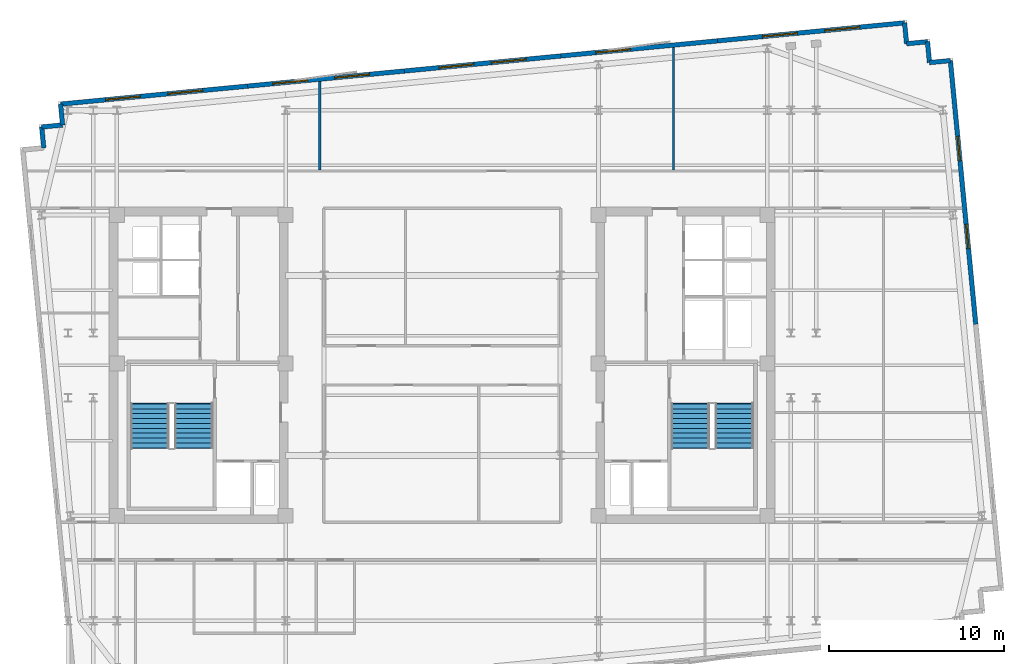
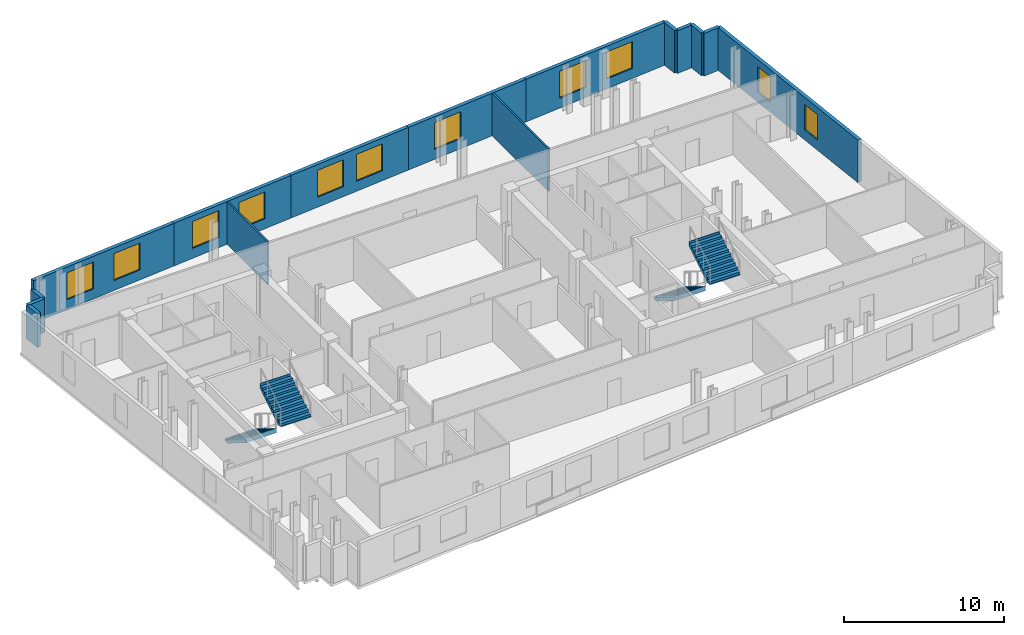
# One storey, part 6 of 8: 15 walls, 11 windows, 4 stair flights, 11 openings, 2 elements without a shape of their own.
"""IFC4 building model written with IfcOpenShell, lengths in metres."""

from ifc_helpers import new_model, si_unit, direction, frame, frame_2d, origin, place, context, subcontext, project, spatial, polyline, rectangle, outline, extrude, material, layer, layer_set, type_object, element, fill, aggregate, save


model = new_model("IFC4")

# Units and contexts
model_context = context("Model", 3, precision=1e-05, world=origin(), true_north=direction((0.0, 1.0)))
body_context = subcontext(model_context, "Body", "Model", "MODEL_VIEW")
ifc_project = project(units=[si_unit("LENGTHUNIT", "METRE"), si_unit("AREAUNIT", "SQUARE_METRE"), si_unit("VOLUMEUNIT", "CUBIC_METRE"), si_unit("PLANEANGLEUNIT", "RADIAN"), si_unit("MASSUNIT", "GRAM", prefix="KILO")], contexts=[model_context])

# Site, building, storey
site_placement = place(None, origin())
site = spatial("IfcSite", under=ifc_project, at=site_placement, CompositionType="ELEMENT")
building_placement = place(site_placement, origin())
building = spatial("IfcBuilding", under=site, at=building_placement, Name="Velakula Bourse", CompositionType="ELEMENT")
storey_placement = place(building_placement, frame((0.0, 0.0, 255.14990234375)))
storey = spatial("IfcBuildingStorey", under=building, at=storey_placement, Name="L69", CompositionType="ELEMENT", Elevation=255.14990234375)

# Wall, openings, windows
ifc_material_1 = material(Name="Buff kilned clay facing brick masonry", Category="masonry")
ifc_layer_1 = layer(ifc_material_1, 0.260009765625, Name="Buff kilned clay facing brick masonry", Category="masonry")
ifc_layer_set_1 = layer_set([ifc_layer_1], Name="Buff kilned clay facing brick masonry")
wall_type_1 = type_object("IfcWallType", Name="WL-EXT-BRK-260", PredefinedType="STANDARD", material=ifc_layer_set_1)
wall_1_placement = place(storey_placement, frame((-21.820556640625, 14.94482421875, 0.0), z_axis=(0.0, 0.0, 1.0), x_axis=(0.995394787719, 0.095860401528, 0.0)))
wall_1 = element("IfcWall", 1, at=wall_1_placement, inside=storey, type_object=wall_type_1, Name="L69 N Brick Spandrel Wall B1", PredefinedType="STANDARD", context=body_context, shape_type="SweptSolid", body=[
    extrude(rectangle(XDim=10.750244140625, YDim=0.260009765625, at=frame_2d((5.375, 0.0))), origin(), (0.0, 0.0, 1.0), 3.25),
])
opening_1_placement = place(wall_1_placement, frame((2.583251953125, 0.0, 0.760009765625)))
opening_1 = element("IfcOpeningElement", 2, at=opening_1_placement, cuts=wall_1, Name="Opening W-05", PredefinedType="OPENING", context=body_context, shape_type="SweptSolid", body=[
    extrude(rectangle(XDim=2.0, YDim=2.050048828125, at=frame_2d((1.0, 1.02490234375))), frame((0.0, 0.139892578125, 0.0), z_axis=(0.0, -1.0, 0.0), x_axis=(1.0, 0.0, 0.0)), (0.0, 0.0, 1.0), 0.280029296875),
])
opening_2_placement = place(wall_1_placement, frame((6.166748046875, 0.0, 0.760009765625)))
opening_2 = element("IfcOpeningElement", 3, at=opening_2_placement, cuts=wall_1, Name="Opening W-05", PredefinedType="OPENING", context=body_context, shape_type="SweptSolid", body=[
    extrude(rectangle(XDim=2.0, YDim=2.050048828125, at=frame_2d((1.0, 1.02490234375))), frame((0.0, 0.139892578125, 0.0), z_axis=(0.0, -1.0, 0.0), x_axis=(1.0, 0.0, 0.0)), (0.0, 0.0, 1.0), 0.280029296875),
])
ifc_material_2 = material(Name="Double-glazed solar-control Low-E glass", Category="glass")
window_type_1 = type_object("IfcWindowType", Name="WIN-TWR-2000x2200", PartitioningType="DOUBLE_PANEL_VERTICAL", PredefinedType="WINDOW", material=ifc_material_2)
window_1_placement = place(opening_1_placement, origin())
window_1 = element("IfcWindow", 4, at=window_1_placement, inside=storey, type_object=window_type_1, Name="L69 Deep-Set Recessed Window 1", OverallHeight=2.050048828125, OverallWidth=2.0, PartitioningType="DOUBLE_PANEL_VERTICAL", PredefinedType="WINDOW", context=body_context, shape_type="SweptSolid", body=[
    extrude(rectangle(XDim=2.0, YDim=2.050048828125, at=frame_2d((1.0, 1.02490234375))), frame((0.0, 0.030029296875, 0.0), z_axis=(0.0, -1.0, 0.0), x_axis=(1.0, 0.0, 0.0)), (0.0, 0.0, 1.0), 0.06005859375),
])
fill(opening_1, window_1)
window_2_placement = place(opening_2_placement, origin())
window_2 = element("IfcWindow", 5, at=window_2_placement, inside=storey, type_object=window_type_1, Name="L69 Deep-Set Recessed Window 2", OverallHeight=2.050048828125, OverallWidth=2.0, PartitioningType="DOUBLE_PANEL_VERTICAL", PredefinedType="WINDOW", context=body_context, shape_type="SweptSolid", body=[
    extrude(rectangle(XDim=2.0, YDim=2.050048828125, at=frame_2d((1.0, 1.02490234375))), frame((0.0, 0.030029296875, 0.0), z_axis=(0.0, -1.0, 0.0), x_axis=(1.0, 0.0, 0.0)), (0.0, 0.0, 1.0), 0.06005859375),
])
fill(opening_2, window_2)

wall_2_placement = place(storey_placement, frame((-11.119873046875, 15.975341796875, 0.0), z_axis=(0.0, 0.0, 1.0), x_axis=(0.995396794462, 0.09583956164, 0.0)))
wall_2 = element("IfcWall", 6, at=wall_2_placement, inside=storey, type_object=wall_type_1, Name="L69 N Brick Spandrel Wall B2", PredefinedType="STANDARD", context=body_context, shape_type="SweptSolid", body=[
    extrude(rectangle(XDim=9.0, YDim=0.260009765625, at=frame_2d((4.5, 0.0))), origin(), (0.0, 0.0, 1.0), 3.25),
])
opening_3_placement = place(wall_2_placement, frame((1.449951171875, 0.0, 0.760009765625)))
opening_3 = element("IfcOpeningElement", 7, at=opening_3_placement, cuts=wall_2, Name="Opening W-05", PredefinedType="OPENING", context=body_context, shape_type="SweptSolid", body=[
    extrude(rectangle(XDim=2.0, YDim=2.050048828125, at=frame_2d((1.0, 1.02490234375))), frame((0.0, 0.139892578125, 0.0), z_axis=(0.0, -1.0, 0.0), x_axis=(1.0, 0.0, 0.0)), (0.0, 0.0, 1.0), 0.280029296875),
])
opening_4_placement = place(wall_2_placement, frame((5.0, 0.0, 0.760009765625)))
opening_4 = element("IfcOpeningElement", 8, at=opening_4_placement, cuts=wall_2, Name="Opening W-05", PredefinedType="OPENING", context=body_context, shape_type="SweptSolid", body=[
    extrude(rectangle(XDim=2.0, YDim=2.050048828125, at=frame_2d((1.0, 1.02490234375))), frame((0.0, 0.139892578125, 0.0), z_axis=(0.0, -1.0, 0.0), x_axis=(1.0, 0.0, 0.0)), (0.0, 0.0, 1.0), 0.280029296875),
])
window_3_placement = place(opening_3_placement, origin())
window_3 = element("IfcWindow", 9, at=window_3_placement, inside=storey, type_object=window_type_1, Name="L69 Deep-Set Recessed Window 1", OverallHeight=2.050048828125, OverallWidth=2.0, PartitioningType="DOUBLE_PANEL_VERTICAL", PredefinedType="WINDOW", context=body_context, shape_type="SweptSolid", body=[
    extrude(rectangle(XDim=2.0, YDim=2.050048828125, at=frame_2d((1.0, 1.02490234375))), frame((0.0, 0.030029296875, 0.0), z_axis=(0.0, -1.0, 0.0), x_axis=(1.0, 0.0, 0.0)), (0.0, 0.0, 1.0), 0.06005859375),
])
fill(opening_3, window_3)
window_4_placement = place(opening_4_placement, origin())
window_4 = element("IfcWindow", 10, at=window_4_placement, inside=storey, type_object=window_type_1, Name="L69 Deep-Set Recessed Window 2", OverallHeight=2.050048828125, OverallWidth=2.0, PartitioningType="DOUBLE_PANEL_VERTICAL", PredefinedType="WINDOW", context=body_context, shape_type="SweptSolid", body=[
    extrude(rectangle(XDim=2.0, YDim=2.050048828125, at=frame_2d((1.0, 1.02490234375))), frame((0.0, 0.030029296875, 0.0), z_axis=(0.0, -1.0, 0.0), x_axis=(1.0, 0.0, 0.0)), (0.0, 0.0, 1.0), 0.06005859375),
])
fill(opening_4, window_4)

wall_3_placement = place(storey_placement, frame((-2.161376953125, 16.837890625, 0.0), z_axis=(0.0, 0.0, 1.0), x_axis=(0.995396794462, 0.09583956164, 0.0)))
wall_3 = element("IfcWall", 11, at=wall_3_placement, inside=storey, type_object=wall_type_1, Name="L69 N Brick Spandrel Wall B3", PredefinedType="STANDARD", context=body_context, shape_type="SweptSolid", body=[
    extrude(rectangle(XDim=9.0, YDim=0.260009765625, at=frame_2d((4.5, 0.0))), origin(), (0.0, 0.0, 1.0), 3.25),
])
opening_5_placement = place(wall_3_placement, frame((2.0, 0.0, 0.760009765625)))
opening_5 = element("IfcOpeningElement", 12, at=opening_5_placement, cuts=wall_3, Name="Opening W-05", PredefinedType="OPENING", context=body_context, shape_type="SweptSolid", body=[
    extrude(rectangle(XDim=2.0, YDim=2.050048828125, at=frame_2d((1.0, 1.02490234375))), frame((0.0, 0.139892578125, 0.0), z_axis=(0.0, -1.0, 0.0), x_axis=(1.0, 0.0, 0.0)), (0.0, 0.0, 1.0), 0.280029296875),
])
opening_6_placement = place(wall_3_placement, frame((5.0, 0.0, 0.760009765625)))
opening_6 = element("IfcOpeningElement", 13, at=opening_6_placement, cuts=wall_3, Name="Opening W-05", PredefinedType="OPENING", context=body_context, shape_type="SweptSolid", body=[
    extrude(rectangle(XDim=2.0, YDim=2.050048828125, at=frame_2d((1.0, 1.02490234375))), frame((0.0, 0.139892578125, 0.0), z_axis=(0.0, -1.0, 0.0), x_axis=(1.0, 0.0, 0.0)), (0.0, 0.0, 1.0), 0.280029296875),
])
window_5_placement = place(opening_5_placement, origin())
window_5 = element("IfcWindow", 14, at=window_5_placement, inside=storey, type_object=window_type_1, Name="L69 Deep-Set Recessed Window 1", OverallHeight=2.050048828125, OverallWidth=2.0, PartitioningType="DOUBLE_PANEL_VERTICAL", PredefinedType="WINDOW", context=body_context, shape_type="SweptSolid", body=[
    extrude(rectangle(XDim=2.0, YDim=2.050048828125, at=frame_2d((1.0, 1.02490234375))), frame((0.0, 0.030029296875, 0.0), z_axis=(0.0, -1.0, 0.0), x_axis=(1.0, 0.0, 0.0)), (0.0, 0.0, 1.0), 0.06005859375),
])
fill(opening_5, window_5)
window_6_placement = place(opening_6_placement, origin())
window_6 = element("IfcWindow", 15, at=window_6_placement, inside=storey, type_object=window_type_1, Name="L69 Deep-Set Recessed Window 2", OverallHeight=2.050048828125, OverallWidth=2.0, PartitioningType="DOUBLE_PANEL_VERTICAL", PredefinedType="WINDOW", context=body_context, shape_type="SweptSolid", body=[
    extrude(rectangle(XDim=2.0, YDim=2.050048828125, at=frame_2d((1.0, 1.02490234375))), frame((0.0, 0.030029296875, 0.0), z_axis=(0.0, -1.0, 0.0), x_axis=(1.0, 0.0, 0.0)), (0.0, 0.0, 1.0), 0.06005859375),
])
fill(opening_6, window_6)

# Wall, opening, window
wall_4_placement = place(storey_placement, frame((6.797119140625, 17.700439453125, 0.0), z_axis=(0.0, 0.0, 1.0), x_axis=(0.995394455533, 0.09586385082, 0.0)))
wall_4 = element("IfcWall", 16, at=wall_4_placement, inside=storey, type_object=wall_type_1, Name="L69 N Brick Spandrel Wall B4", PredefinedType="STANDARD", context=body_context, shape_type="SweptSolid", body=[
    extrude(rectangle(XDim=9.000244140625, YDim=0.260009765625, at=frame_2d((4.5, 0.0))), origin(), (0.0, 0.0, 1.0), 3.25),
])
opening_7_placement = place(wall_4_placement, frame((2.0, 0.0, 0.760009765625)))
opening_7 = element("IfcOpeningElement", 17, at=opening_7_placement, cuts=wall_4, Name="Opening W-05", PredefinedType="OPENING", context=body_context, shape_type="SweptSolid", body=[
    extrude(rectangle(XDim=2.0, YDim=2.050048828125, at=frame_2d((1.0, 1.02490234375))), frame((0.0, 0.139892578125, 0.0), z_axis=(0.0, -1.0, 0.0), x_axis=(1.0, 0.0, 0.0)), (0.0, 0.0, 1.0), 0.280029296875),
])
window_7_placement = place(opening_7_placement, origin())
window_7 = element("IfcWindow", 18, at=window_7_placement, inside=storey, type_object=window_type_1, Name="L69 Deep-Set Recessed Window 1", OverallHeight=2.050048828125, OverallWidth=2.0, PartitioningType="DOUBLE_PANEL_VERTICAL", PredefinedType="WINDOW", context=body_context, shape_type="SweptSolid", body=[
    extrude(rectangle(XDim=2.0, YDim=2.050048828125, at=frame_2d((1.0, 1.02490234375))), frame((0.0, 0.030029296875, 0.0), z_axis=(0.0, -1.0, 0.0), x_axis=(1.0, 0.0, 0.0)), (0.0, 0.0, 1.0), 0.06005859375),
])
fill(opening_7, window_7)

# Wall, openings, windows
wall_5_placement = place(storey_placement, frame((15.755859375, 18.563232421875, 0.0), z_axis=(0.0, 0.0, 1.0), x_axis=(0.995396745868, 0.095840066339, 0.0)))
wall_5 = element("IfcWall", 19, at=wall_5_placement, inside=storey, type_object=wall_type_1, Name="L69 N Brick Spandrel Wall B5", PredefinedType="STANDARD", context=body_context, shape_type="SweptSolid", body=[
    extrude(rectangle(XDim=10.75, YDim=0.260009765625, at=frame_2d((5.375, 0.0))), origin(), (0.0, 0.0, 1.0), 3.25),
])
opening_8_placement = place(wall_5_placement, frame((2.583251953125, 0.0, 0.760009765625)))
opening_8 = element("IfcOpeningElement", 20, at=opening_8_placement, cuts=wall_5, Name="Opening W-05", PredefinedType="OPENING", context=body_context, shape_type="SweptSolid", body=[
    extrude(rectangle(XDim=2.0, YDim=2.050048828125, at=frame_2d((1.0, 1.02490234375))), frame((0.0, 0.139892578125, 0.0), z_axis=(0.0, -1.0, 0.0), x_axis=(1.0, 0.0, 0.0)), (0.0, 0.0, 1.0), 0.280029296875),
])
opening_9_placement = place(wall_5_placement, frame((6.166748046875, 0.0, 0.760009765625)))
opening_9 = element("IfcOpeningElement", 21, at=opening_9_placement, cuts=wall_5, Name="Opening W-05", PredefinedType="OPENING", context=body_context, shape_type="SweptSolid", body=[
    extrude(rectangle(XDim=2.0, YDim=2.050048828125, at=frame_2d((1.0, 1.02490234375))), frame((0.0, 0.139892578125, 0.0), z_axis=(0.0, -1.0, 0.0), x_axis=(1.0, 0.0, 0.0)), (0.0, 0.0, 1.0), 0.280029296875),
])
window_8_placement = place(opening_8_placement, origin())
window_8 = element("IfcWindow", 22, at=window_8_placement, inside=storey, type_object=window_type_1, Name="L69 Deep-Set Recessed Window 1", OverallHeight=2.050048828125, OverallWidth=2.0, PartitioningType="DOUBLE_PANEL_VERTICAL", PredefinedType="WINDOW", context=body_context, shape_type="SweptSolid", body=[
    extrude(rectangle(XDim=2.0, YDim=2.050048828125, at=frame_2d((1.0, 1.02490234375))), frame((0.0, 0.030029296875, 0.0), z_axis=(0.0, -1.0, 0.0), x_axis=(1.0, 0.0, 0.0)), (0.0, 0.0, 1.0), 0.06005859375),
])
fill(opening_8, window_8)
window_9_placement = place(opening_9_placement, origin())
window_9 = element("IfcWindow", 23, at=window_9_placement, inside=storey, type_object=window_type_1, Name="L69 Deep-Set Recessed Window 2", OverallHeight=2.050048828125, OverallWidth=2.0, PartitioningType="DOUBLE_PANEL_VERTICAL", PredefinedType="WINDOW", context=body_context, shape_type="SweptSolid", body=[
    extrude(rectangle(XDim=2.0, YDim=2.050048828125, at=frame_2d((1.0, 1.02490234375))), frame((0.0, 0.030029296875, 0.0), z_axis=(0.0, -1.0, 0.0), x_axis=(1.0, 0.0, 0.0)), (0.0, 0.0, 1.0), 0.06005859375),
])
fill(opening_9, window_9)

wall_6_placement = place(storey_placement, frame((29.0751953125, 17.4345703125, 0.0), z_axis=(0.0, 0.0, 1.0), x_axis=(0.095850890337, -0.995395703638, 0.0)))
wall_6 = element("IfcWall", 24, at=wall_6_placement, inside=storey, type_object=wall_type_1, Name="L69 E Brick End Wall W2", PredefinedType="STANDARD", context=body_context, shape_type="SweptSolid", body=[
    extrude(rectangle(XDim=15.150146484375, YDim=0.260009765625, at=frame_2d((7.5751953125, 0.0))), origin(), (0.0, 0.0, 1.0), 3.25),
])
opening_10_placement = place(wall_6_placement, frame((4.35009765625, 0.0, 0.760009765625)))
opening_10 = element("IfcOpeningElement", 25, at=opening_10_placement, cuts=wall_6, Name="Opening W-03", PredefinedType="OPENING", context=body_context, shape_type="SweptSolid", body=[
    extrude(rectangle(XDim=1.39990234375, YDim=1.949951171875, at=frame_2d((0.699951171875, 0.97509765625))), frame((0.0, 0.139892578125, 0.0), z_axis=(0.0, -1.0, 0.0), x_axis=(1.0, 0.0, 0.0)), (0.0, 0.0, 1.0), 0.280029296875),
])
opening_11_placement = place(wall_6_placement, frame((9.39990234375, 0.0, 0.760009765625)))
opening_11 = element("IfcOpeningElement", 26, at=opening_11_placement, cuts=wall_6, Name="Opening W-03", PredefinedType="OPENING", context=body_context, shape_type="SweptSolid", body=[
    extrude(rectangle(XDim=1.39990234375, YDim=1.949951171875, at=frame_2d((0.699951171875, 0.97509765625))), frame((0.0, 0.139892578125, 0.0), z_axis=(0.0, -1.0, 0.0), x_axis=(1.0, 0.0, 0.0)), (0.0, 0.0, 1.0), 0.280029296875),
])
window_type_2 = type_object("IfcWindowType", Name="WIN-TWR-1400x2100", PartitioningType="SINGLE_PANEL", PredefinedType="WINDOW", material=ifc_material_2)
window_10_placement = place(opening_10_placement, origin())
window_10 = element("IfcWindow", 27, at=window_10_placement, inside=storey, type_object=window_type_2, Name="L69 Deep-Set Recessed Window 1", OverallHeight=1.949951171875, OverallWidth=1.39990234375, PartitioningType="SINGLE_PANEL", PredefinedType="WINDOW", context=body_context, shape_type="SweptSolid", body=[
    extrude(rectangle(XDim=1.39990234375, YDim=1.949951171875, at=frame_2d((0.699951171875, 0.97509765625))), frame((0.0, 0.030029296875, 0.0), z_axis=(0.0, -1.0, 0.0), x_axis=(1.0, 0.0, 0.0)), (0.0, 0.0, 1.0), 0.06005859375),
])
fill(opening_10, window_10)
window_11_placement = place(opening_11_placement, origin())
window_11 = element("IfcWindow", 28, at=window_11_placement, inside=storey, type_object=window_type_2, Name="L69 Deep-Set Recessed Window 2", OverallHeight=1.949951171875, OverallWidth=1.39990234375, PartitioningType="SINGLE_PANEL", PredefinedType="WINDOW", context=body_context, shape_type="SweptSolid", body=[
    extrude(rectangle(XDim=1.39990234375, YDim=1.949951171875, at=frame_2d((0.699951171875, 0.97509765625))), frame((0.0, 0.030029296875, 0.0), z_axis=(0.0, -1.0, 0.0), x_axis=(1.0, 0.0, 0.0)), (0.0, 0.0, 1.0), 0.06005859375),
])
fill(opening_11, window_11)

# Walls
for number, where, z_axis, x_axis, name in (
    (29, (29.0751953125, 17.4345703125, 0.0), (0.0, 0.0, 1.0), (-0.995397091755, -0.095836473879, 0.0), "L69 Serrated Corner Brick Wall NE-1"),
    (30, (27.880859375, 17.319580078125, 0.0), (0.0, 0.0, 1.0), (-0.095836473879, 0.995397091755, 0.0), "L69 Serrated Corner Brick Wall NE-2"),
):
    element("IfcWall", number, at=place(storey_placement, frame(where, z_axis=z_axis, x_axis=x_axis)), inside=storey, type_object=wall_type_1, Name=name, PredefinedType="STANDARD", context=body_context, shape_type="SweptSolid", body=[
        extrude(rectangle(XDim=1.199951171875, YDim=0.260009765625, at=frame_2d((0.60009765625, 0.0))), origin(), (0.0, 0.0, 1.0), 3.25),
    ])
for number, where, z_axis, x_axis, name in (
    (31, (27.765869140625, 18.513916015625, 0.0), (0.0, 0.0, 1.0), (-0.995398960025, -0.095817067274, 0.0), "L69 Serrated Corner Brick Wall NE-3"),
    (32, (26.5712890625, 18.39892578125, 0.0), (0.0, 0.0, 1.0), (-0.095817067274, 0.995398960025, 0.0), "L69 Serrated Corner Brick Wall NE-4"),
):
    element("IfcWall", number, at=place(storey_placement, frame(where, z_axis=z_axis, x_axis=x_axis)), inside=storey, type_object=wall_type_1, Name=name, PredefinedType="STANDARD", context=body_context, shape_type="SweptSolid", body=[
        extrude(rectangle(XDim=1.2001953125, YDim=0.260009765625, at=frame_2d((0.60009765625, 0.0))), origin(), (0.0, 0.0, 1.0), 3.25),
    ])
wall_7_placement = place(storey_placement, frame((-21.820556640625, 14.94482421875, 0.0), z_axis=(0.0, 0.0, 1.0), x_axis=(0.096038073607, -0.995377661201, 0.0)))
element("IfcWall", 33, at=wall_7_placement, inside=storey, type_object=wall_type_1, Name="L69 Serrated Corner Brick Wall NW-1", PredefinedType="STANDARD", context=body_context, shape_type="SweptSolid", body=[
    extrude(rectangle(XDim=1.199951171875, YDim=0.260009765625, at=frame_2d((0.60009765625, 0.0))), origin(), (0.0, 0.0, 1.0), 2.565185546875),
])
for number, where, z_axis, x_axis, name in (
    (34, (-21.705322265625, 13.75048828125, 0.0), (0.0, 0.0, 1.0), (-0.995398960025, -0.095817067274, 0.0), "L69 Serrated Corner Brick Wall NW-2"),
    (35, (-22.89990234375, 13.635498046875, 0.0), (0.0, 0.0, 1.0), (0.095817067274, -0.995398960025, 0.0), "L69 Serrated Corner Brick Wall NW-3"),
):
    element("IfcWall", number, at=place(storey_placement, frame(where, z_axis=z_axis, x_axis=x_axis)), inside=storey, type_object=wall_type_1, Name=name, PredefinedType="STANDARD", context=body_context, shape_type="SweptSolid", body=[
        extrude(rectangle(XDim=1.2001953125, YDim=0.260009765625, at=frame_2d((0.60009765625, 0.0))), origin(), (0.0, 0.0, 1.0), 2.565185546875),
    ])
ifc_material_3 = material(Name="Fire-rated double-layer gypsum drywall partition", Category="gypsum")
ifc_layer_2 = layer(ifc_material_3, 0.1201171875, Name="Fire-rated double-layer gypsum drywall partition", Category="gypsum")
ifc_layer_set_2 = layer_set([ifc_layer_2], Name="Fire-rated double-layer gypsum drywall partition")
wall_type_2 = type_object("IfcWallType", Name="WL-PART-120", PredefinedType="STANDARD", material=ifc_layer_set_2)
wall_8_placement = place(storey_placement, frame((-6.99609375, 11.18994140625, 0.0), z_axis=(0.0, 0.0, 1.0), x_axis=(0.0, 1.0, 0.0)))
element("IfcWall", 36, at=wall_8_placement, inside=storey, type_object=wall_type_2, Name="L69 Interior Partition WL-INT-L69-N-D1", PredefinedType="STANDARD", context=body_context, shape_type="SweptSolid", body=[
    extrude(rectangle(XDim=5.0517578125, YDim=0.1201171875, at=frame_2d((2.52587890625, 0.0))), origin(), (0.0, 0.0, 1.0), 3.25),
])
wall_9_placement = place(storey_placement, frame((13.241943359375, 11.18994140625, 0.0), z_axis=(0.0, 0.0, 1.0), x_axis=(0.0, 1.0, 0.0)))
element("IfcWall", 37, at=wall_9_placement, inside=storey, type_object=wall_type_2, Name="L69 Interior Partition WL-INT-L69-N-D2", PredefinedType="STANDARD", context=body_context, shape_type="SweptSolid", body=[
    extrude(rectangle(XDim=7.00048828125, YDim=0.1201171875, at=frame_2d((3.500244140625, 0.0))), origin(), (0.0, 0.0, 1.0), 3.25),
])

# Stair, stair flights
ifc_material_4 = material(Name="Concrete M45 (fck 45 MPa)", Category="concrete")
stair_type = type_object("IfcStairType", Name="STR-DOG-390", PredefinedType="HALF_TURN_STAIR", material=ifc_material_4)
stair_1_placement = place(storey_placement, origin())
stair_1 = element("IfcStair", 38, at=stair_1_placement, inside=storey, type_object=stair_type, Name="L69 West Core Exit Stair ST-W1", PredefinedType="HALF_TURN_STAIR")
ifc_layer_3 = layer(ifc_material_4, 0.195068359375, Name="Concrete M45 (fck 45 MPa)", Category="concrete")
ifc_layer_set_3 = layer_set([ifc_layer_3], Name="Concrete M45 (fck 45 MPa)")
stair_flight_type = type_object("IfcStairFlightType", Name="FLT-DOG-390", PredefinedType="STRAIGHT", material=ifc_layer_set_3)
stair_flight_1_placement = place(storey_placement, frame((-16.720947265625, -2.199951171875, 0.0), z_axis=(0.0, 0.0, 1.0), x_axis=(0.0, -1.0, 0.0)))
stair_flight_1 = element("IfcStairFlight", 39, at=stair_flight_1_placement, type_object=stair_flight_type, Name="ST-W1 flight 1", NumberOfRisers=10, NumberOfTreads=9, PredefinedType="STRAIGHT", RiserHeight=0.1725, TreadLength=0.28, context=body_context, shape_type="SweptSolid", body=[
    extrude(outline(polyline([(-0.044921875, -0.0400390625), (-0.044921875, -0.036865234375), (-0.044921875, -0.033935546875), (-0.044921875, -0.03076171875), (-0.044921875, -0.027587890625), (-0.044921875, -0.024658203125), (-0.044921875, -0.021484375), (-0.044921875, -0.0185546875), (-0.044921875, -0.015380859375), (-0.044921875, -0.01220703125), (-0.044921875, -0.00927734375), (-0.044921875, -0.006103515625), (-0.044921875, -0.003173828125), (-0.044921875, 0.0), (0.0, 0.0), (0.0, 0.172607421875), (0.280029296875, 0.172607421875), (0.280029296875, 0.344970703125), (0.56005859375, 0.344970703125), (0.56005859375, 0.517578125), (0.840087890625, 0.517578125), (0.840087890625, 0.68994140625), (1.1201171875, 0.68994140625), (1.1201171875, 0.862548828125), (1.39990234375, 0.862548828125), (1.39990234375, 1.034912109375), (1.679931640625, 1.034912109375), (1.679931640625, 1.20751953125), (1.9599609375, 1.20751953125), (1.9599609375, 1.3798828125), (2.239990234375, 1.3798828125), (2.239990234375, 1.552490234375), (2.52001953125, 1.552490234375), (2.52001953125, 1.72509765625), (2.56494140625, 1.72509765625), (2.56494140625, 1.7001953125), (2.56494140625, 1.67529296875), (2.56494140625, 1.650390625), (2.56494140625, 1.62548828125), (2.56494140625, 1.6005859375), (2.56494140625, 1.57568359375), (2.56494140625, 1.55078125), (2.56494140625, 1.52587890625), (2.56494140625, 1.5009765625), (2.56494140625, 1.47607421875), (2.56494140625, 1.451171875), (2.56494140625, 1.42626953125), (2.56494140625, 1.4013671875), (2.56494140625, 1.37646484375), (0.285888671875, -0.0400390625), (-0.044921875, -0.0400390625)])), frame((0.0, 1.09912109375, 0.0), z_axis=(0.0, -1.0, 0.0), x_axis=(1.0, 0.0, 0.0)), (0.0, 0.0, 1.0), 2.197998046875),
])
stair_flight_2_placement = place(storey_placement, frame((-14.198974609375, -4.719970703125, 1.72509765625), z_axis=(0.0, 0.0, 1.0), x_axis=(0.0, 1.0, 0.0)))
stair_flight_2 = element("IfcStairFlight", 40, at=stair_flight_2_placement, type_object=stair_flight_type, Name="ST-W1 flight 2", NumberOfRisers=10, NumberOfTreads=9, PredefinedType="STRAIGHT", RiserHeight=0.1725, TreadLength=0.28, context=body_context, shape_type="SweptSolid", body=[
    extrude(outline(polyline([(-0.044921875, -0.0400390625), (-0.044921875, -0.036865234375), (-0.044921875, -0.033935546875), (-0.044921875, -0.03076171875), (-0.044921875, -0.027587890625), (-0.044921875, -0.024658203125), (-0.044921875, -0.021484375), (-0.044921875, -0.0185546875), (-0.044921875, -0.015380859375), (-0.044921875, -0.01220703125), (-0.044921875, -0.00927734375), (-0.044921875, -0.006103515625), (-0.044921875, -0.003173828125), (-0.044921875, 0.0), (0.0, 0.0), (0.0, 0.172607421875), (0.280029296875, 0.172607421875), (0.280029296875, 0.344970703125), (0.56005859375, 0.344970703125), (0.56005859375, 0.517578125), (0.840087890625, 0.517578125), (0.840087890625, 0.68994140625), (1.1201171875, 0.68994140625), (1.1201171875, 0.862548828125), (1.39990234375, 0.862548828125), (1.39990234375, 1.034912109375), (1.679931640625, 1.034912109375), (1.679931640625, 1.20751953125), (1.9599609375, 1.20751953125), (1.9599609375, 1.3798828125), (2.239990234375, 1.3798828125), (2.239990234375, 1.552490234375), (2.52001953125, 1.552490234375), (2.52001953125, 1.72509765625), (2.56494140625, 1.72509765625), (2.56494140625, 1.7001953125), (2.56494140625, 1.67529296875), (2.56494140625, 1.650390625), (2.56494140625, 1.62548828125), (2.56494140625, 1.6005859375), (2.56494140625, 1.57568359375), (2.56494140625, 1.55078125), (2.56494140625, 1.52587890625), (2.56494140625, 1.5009765625), (2.56494140625, 1.47607421875), (2.56494140625, 1.451171875), (2.56494140625, 1.42626953125), (2.56494140625, 1.4013671875), (2.56494140625, 1.37646484375), (0.285888671875, -0.0400390625), (-0.044921875, -0.0400390625)])), frame((0.0, 1.09912109375, 0.0), z_axis=(0.0, -1.0, 0.0), x_axis=(1.0, 0.0, 0.0)), (0.0, 0.0, 1.0), 2.197998046875),
])
aggregate(stair_1, [stair_flight_1, stair_flight_2])

stair_2_placement = place(storey_placement, origin())
stair_2 = element("IfcStair", 41, at=stair_2_placement, inside=storey, type_object=stair_type, Name="L69 East Core Exit Stair ST-E1", PredefinedType="HALF_TURN_STAIR")
stair_flight_3_placement = place(storey_placement, frame((14.198974609375, -2.199951171875, 0.0), z_axis=(0.0, 0.0, 1.0), x_axis=(0.0, -1.0, 0.0)))
stair_flight_3 = element("IfcStairFlight", 42, at=stair_flight_3_placement, type_object=stair_flight_type, Name="ST-E1 flight 1", NumberOfRisers=10, NumberOfTreads=9, PredefinedType="STRAIGHT", RiserHeight=0.1725, TreadLength=0.28, context=body_context, shape_type="SweptSolid", body=[
    extrude(outline(polyline([(-0.044921875, -0.0400390625), (-0.044921875, -0.036865234375), (-0.044921875, -0.033935546875), (-0.044921875, -0.03076171875), (-0.044921875, -0.027587890625), (-0.044921875, -0.024658203125), (-0.044921875, -0.021484375), (-0.044921875, -0.0185546875), (-0.044921875, -0.015380859375), (-0.044921875, -0.01220703125), (-0.044921875, -0.00927734375), (-0.044921875, -0.006103515625), (-0.044921875, -0.003173828125), (-0.044921875, 0.0), (0.0, 0.0), (0.0, 0.172607421875), (0.280029296875, 0.172607421875), (0.280029296875, 0.344970703125), (0.56005859375, 0.344970703125), (0.56005859375, 0.517578125), (0.840087890625, 0.517578125), (0.840087890625, 0.68994140625), (1.1201171875, 0.68994140625), (1.1201171875, 0.862548828125), (1.39990234375, 0.862548828125), (1.39990234375, 1.034912109375), (1.679931640625, 1.034912109375), (1.679931640625, 1.20751953125), (1.9599609375, 1.20751953125), (1.9599609375, 1.3798828125), (2.239990234375, 1.3798828125), (2.239990234375, 1.552490234375), (2.52001953125, 1.552490234375), (2.52001953125, 1.72509765625), (2.56494140625, 1.72509765625), (2.56494140625, 1.7001953125), (2.56494140625, 1.67529296875), (2.56494140625, 1.650390625), (2.56494140625, 1.62548828125), (2.56494140625, 1.6005859375), (2.56494140625, 1.57568359375), (2.56494140625, 1.55078125), (2.56494140625, 1.52587890625), (2.56494140625, 1.5009765625), (2.56494140625, 1.47607421875), (2.56494140625, 1.451171875), (2.56494140625, 1.42626953125), (2.56494140625, 1.4013671875), (2.56494140625, 1.37646484375), (0.285888671875, -0.0400390625), (-0.044921875, -0.0400390625)])), frame((0.0, 1.09912109375, 0.0), z_axis=(0.0, -1.0, 0.0), x_axis=(1.0, 0.0, 0.0)), (0.0, 0.0, 1.0), 2.197998046875),
])
stair_flight_4_placement = place(storey_placement, frame((16.720947265625, -4.719970703125, 1.72509765625), z_axis=(0.0, 0.0, 1.0), x_axis=(0.0, 1.0, 0.0)))
stair_flight_4 = element("IfcStairFlight", 43, at=stair_flight_4_placement, type_object=stair_flight_type, Name="ST-E1 flight 2", NumberOfRisers=10, NumberOfTreads=9, PredefinedType="STRAIGHT", RiserHeight=0.1725, TreadLength=0.28, context=body_context, shape_type="SweptSolid", body=[
    extrude(outline(polyline([(-0.044921875, -0.0400390625), (-0.044921875, -0.036865234375), (-0.044921875, -0.033935546875), (-0.044921875, -0.03076171875), (-0.044921875, -0.027587890625), (-0.044921875, -0.024658203125), (-0.044921875, -0.021484375), (-0.044921875, -0.0185546875), (-0.044921875, -0.015380859375), (-0.044921875, -0.01220703125), (-0.044921875, -0.00927734375), (-0.044921875, -0.006103515625), (-0.044921875, -0.003173828125), (-0.044921875, 0.0), (0.0, 0.0), (0.0, 0.172607421875), (0.280029296875, 0.172607421875), (0.280029296875, 0.344970703125), (0.56005859375, 0.344970703125), (0.56005859375, 0.517578125), (0.840087890625, 0.517578125), (0.840087890625, 0.68994140625), (1.1201171875, 0.68994140625), (1.1201171875, 0.862548828125), (1.39990234375, 0.862548828125), (1.39990234375, 1.034912109375), (1.679931640625, 1.034912109375), (1.679931640625, 1.20751953125), (1.9599609375, 1.20751953125), (1.9599609375, 1.3798828125), (2.239990234375, 1.3798828125), (2.239990234375, 1.552490234375), (2.52001953125, 1.552490234375), (2.52001953125, 1.72509765625), (2.56494140625, 1.72509765625), (2.56494140625, 1.7001953125), (2.56494140625, 1.67529296875), (2.56494140625, 1.650390625), (2.56494140625, 1.62548828125), (2.56494140625, 1.6005859375), (2.56494140625, 1.57568359375), (2.56494140625, 1.55078125), (2.56494140625, 1.52587890625), (2.56494140625, 1.5009765625), (2.56494140625, 1.47607421875), (2.56494140625, 1.451171875), (2.56494140625, 1.42626953125), (2.56494140625, 1.4013671875), (2.56494140625, 1.37646484375), (0.285888671875, -0.0400390625), (-0.044921875, -0.0400390625)])), frame((0.0, 1.09912109375, 0.0), z_axis=(0.0, -1.0, 0.0), x_axis=(1.0, 0.0, 0.0)), (0.0, 0.0, 1.0), 2.197998046875),
])
aggregate(stair_2, [stair_flight_3, stair_flight_4])

save(model, "model.ifc")
